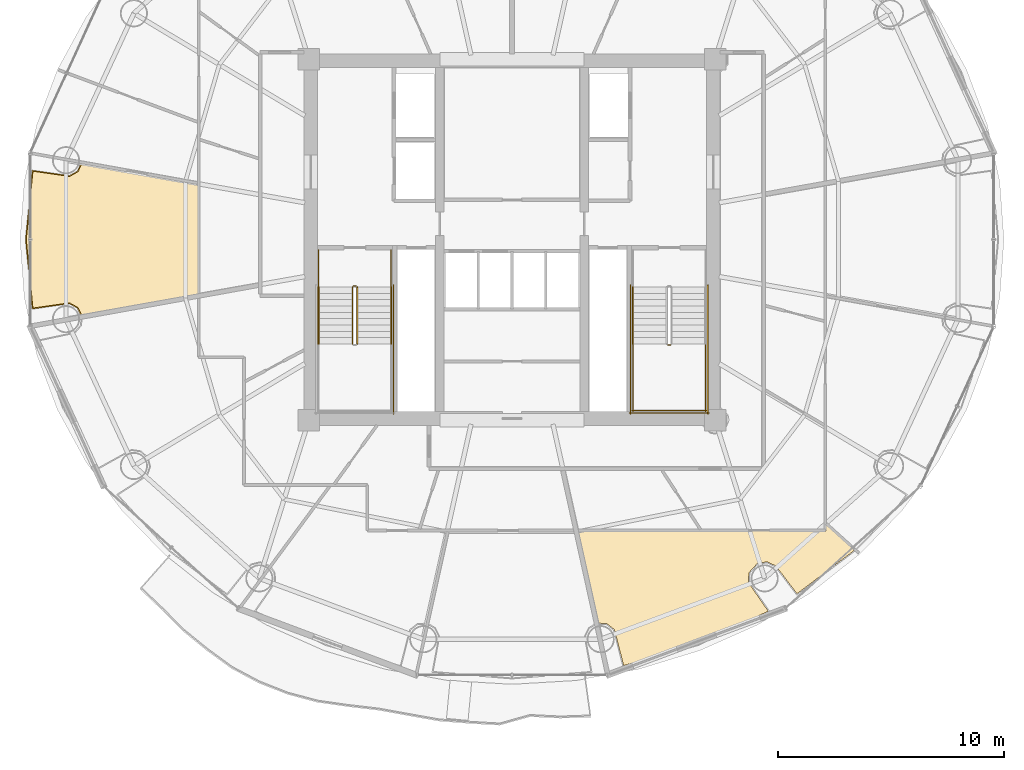
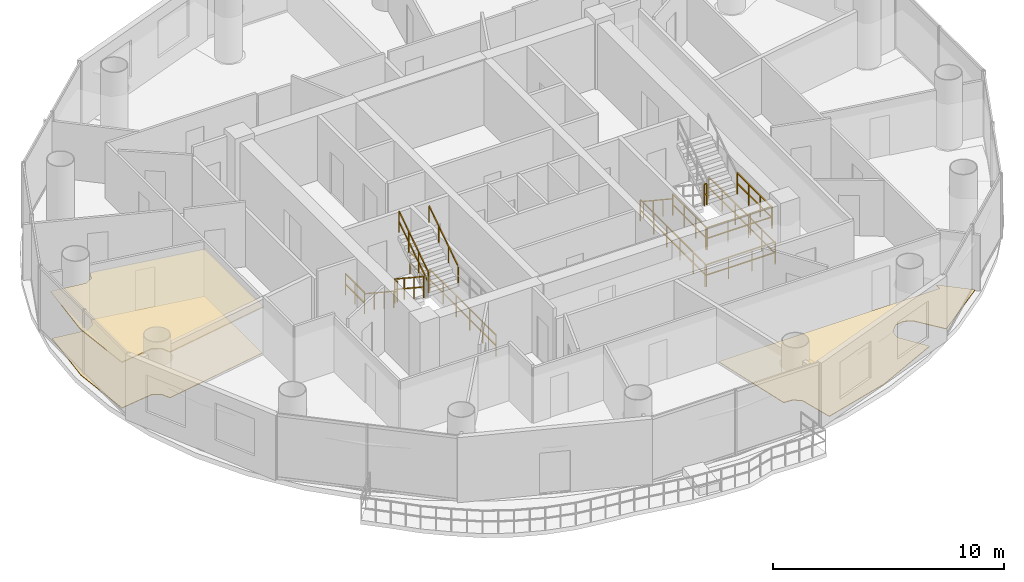
# One storey, part 25 of 27: 16 railings, 3 coverings.
"""IFC4 building model written with IfcOpenShell, lengths in metres."""

from ifc_helpers import new_model, si_unit, direction, frame, origin, origin_2d, place, context, subcontext, project, spatial, polyline, rectangle, outline, extrude, material, layer, layer_set, type_object, element, save


model = new_model("IFC4")

# Units and contexts
model_context = context("Model", 3, precision=1e-05, world=origin(), true_north=direction((-0.2419218956, 0.970295726276)))
body_context = subcontext(model_context, "Body", "Model", "MODEL_VIEW")
ifc_project = project(units=[si_unit("LENGTHUNIT", "METRE"), si_unit("AREAUNIT", "SQUARE_METRE"), si_unit("VOLUMEUNIT", "CUBIC_METRE"), si_unit("PLANEANGLEUNIT", "RADIAN"), si_unit("MASSUNIT", "GRAM", prefix="KILO")], contexts=[model_context])

# Site, building, storey
site_placement = place(None, origin())
site = spatial("IfcSite", under=ifc_project, at=site_placement, CompositionType="ELEMENT")
building_placement = place(site_placement, origin())
building = spatial("IfcBuilding", under=site, at=building_placement, Name="Cobrevalo Terracotta Tower", CompositionType="ELEMENT")
storey_placement = place(building_placement, frame((0.0, 0.0, 191.199951171875)))
storey = spatial("IfcBuildingStorey", under=building, at=storey_placement, Name="L50", CompositionType="ELEMENT", Elevation=191.199951171875)

# Coverings
ifc_material_1 = material(Name="Engineered Brazilian hardwood flooring", Category="wood")
ifc_layer_1 = layer(ifc_material_1, 0.028076171875)
ifc_layer_set_1 = layer_set([ifc_layer_1], Name="Engineered Brazilian hardwood flooring")
covering_type_1 = type_object("IfcCoveringType", Name="Engineered Hardwood Suite Flooring 28", PredefinedType="FLOORING", material=ifc_layer_set_1)
covering_1_placement = place(storey_placement, origin())
element("IfcCovering", 1, at=covering_1_placement, inside=storey, type_object=covering_type_1, Name="Flat L50B Penthouse Family Lounge floor finish", PredefinedType="FLOORING", context=body_context, shape_type="SweptSolid", body=[
    extrude(outline(polyline([(16.7734375, 29.83056640625), (18.39599609375, 29.5986328125), (18.770751953125, 29.80859375), (18.96337890625, 30.20166015625), (24.094970703125, 29.279052734375), (24.094970703125, 24.32080078125), (18.96337890625, 23.3984375), (18.770751953125, 23.791259765625), (18.39599609375, 24.00146484375), (16.7734375, 23.76953125), (16.47998046875, 26.800048828125), (16.7734375, 29.83056640625)])), origin(), (0.0, 0.0, 1.0), 0.030029296875),
])
covering_2_placement = place(storey_placement, origin())
element("IfcCovering", 2, at=covering_2_placement, inside=storey, type_object=covering_type_1, Name="Flat L50D Living and Dining Room floor finish", PredefinedType="FLOORING", context=body_context, shape_type="SweptSolid", body=[
    extrude(outline(polyline([(50.6279296875, 11.108154296875), (49.690185546875, 12.341796875), (49.30126953125, 12.5244140625), (48.87646484375, 12.460205078125), (48.497314453125, 12.039306640625), (48.477294921875, 11.610107421875), (49.3544921875, 10.34033203125), (46.236083984375, 8.858642578125), (42.9482421875, 7.93017578125), (42.537109375, 9.521484375), (42.198974609375, 9.78662109375), (41.759765625, 9.812255859375), (40.861083984375, 13.89501953125), (51.905029296875, 13.89501953125), (51.905029296875, 14.20751953125), (53.189697265625, 13.046630859375), (50.6279296875, 11.108154296875)])), origin(), (0.0, 0.0, 1.0), 0.030029296875),
])
ifc_material_2 = material(Name="Acoustic perforated gypsum ceiling", Category="gypsum")
ifc_layer_2 = layer(ifc_material_2, 0.050048828125)
ifc_layer_set_2 = layer_set([ifc_layer_2], Name="Acoustic perforated gypsum ceiling")
covering_type_2 = type_object("IfcCoveringType", Name="Perforated Acoustic Gypsum Ceiling 50", PredefinedType="CEILING", material=ifc_layer_set_2)
covering_3_placement = place(storey_placement, frame((0.0, 0.0, 2.445068359375)))
element("IfcCovering", 3, at=covering_3_placement, inside=storey, type_object=covering_type_2, Name="Flat L50B Penthouse Family Lounge acoustic ceiling", PredefinedType="CEILING", context=body_context, shape_type="SweptSolid", body=[
    extrude(outline(polyline([(16.73876953125, 29.88232421875), (18.386474609375, 29.642578125), (18.73828125, 29.83984375), (18.9296875, 30.25341796875), (24.139892578125, 29.316650390625), (24.139892578125, 24.283203125), (18.9296875, 23.3466796875), (18.73828125, 23.760009765625), (18.386474609375, 23.957275390625), (16.73876953125, 23.717529296875), (16.434814453125, 26.800048828125), (16.73876953125, 29.88232421875)])), origin(), (0.0, 0.0, 1.0), 0.050048828125),
])

# Railings
ifc_material_3 = material(Name="Brushed stainless steel", Category="steel")
railing_type_1 = type_object("IfcRailingType", Name="Stainless Steel Stair Handrail 900", PredefinedType="HANDRAIL", material=ifc_material_3)
railing_1_placement = place(storey_placement, frame((29.425048828125, 24.699951171875, 0.18505859375)))
element("IfcRailing", 4, at=railing_1_placement, inside=storey, type_object=railing_type_1, Name="L50 ST-1 stair handrail 1", PredefinedType="HANDRAIL", context=body_context, shape_type="SweptSolid", body=[
    extrude(rectangle(XDim=0.048095703125, YDim=0.048095703125, at=origin_2d()), frame((0.0, 0.0, 0.8759765625), z_axis=(0.0, -0.834331337432, 0.55126329406), x_axis=(1.0, 0.0, 0.0)), (0.0, 0.0, 1.0), 3.0205078125),
    extrude(rectangle(XDim=0.0419921875, YDim=0.0419921875, at=origin_2d()), origin(), (0.0, 0.0, 1.0), 0.851806640625),
    extrude(rectangle(XDim=0.0419921875, YDim=0.0419921875, at=origin_2d()), frame((0.0, -0.840087890625, 0.554931640625)), (0.0, 0.0, 1.0), 0.851806640625),
    extrude(rectangle(XDim=0.0419921875, YDim=0.0419921875, at=origin_2d()), frame((0.0, -1.679931640625, 1.110107421875)), (0.0, 0.0, 1.0), 0.851806640625),
    extrude(rectangle(XDim=0.0419921875, YDim=0.0419921875, at=origin_2d()), frame((0.0, -2.52001953125, 1.6650390625)), (0.0, 0.0, 1.0), 0.851806640625),
])
railing_2_placement = place(storey_placement, frame((32.64501953125, 22.179931640625, 2.03515625)))
element("IfcRailing", 5, at=railing_2_placement, inside=storey, type_object=railing_type_1, Name="L50 ST-1 stair handrail 2", PredefinedType="HANDRAIL", context=body_context, shape_type="SweptSolid", body=[
    extrude(rectangle(XDim=0.048095703125, YDim=0.048095703125, at=origin_2d()), frame((0.0, 0.0, 0.8759765625), z_axis=(0.0, 0.83436851402, 0.551207023552), x_axis=(-1.0, 0.0, 0.0)), (0.0, 0.0, 1.0), 3.020263671875),
    extrude(rectangle(XDim=0.0419921875, YDim=0.0419921875, at=origin_2d()), origin(), (0.0, 0.0, 1.0), 0.851806640625),
    extrude(rectangle(XDim=0.0419921875, YDim=0.0419921875, at=origin_2d()), frame((0.0, 0.840087890625, 0.554931640625)), (0.0, 0.0, 1.0), 0.851806640625),
    extrude(rectangle(XDim=0.0419921875, YDim=0.0419921875, at=origin_2d()), frame((0.0, 1.679931640625, 1.10986328125)), (0.0, 0.0, 1.0), 0.851806640625),
    extrude(rectangle(XDim=0.0419921875, YDim=0.0419921875, at=origin_2d()), frame((0.0, 2.52001953125, 1.664794921875)), (0.0, 0.0, 1.0), 0.851806640625),
])
railing_3_placement = place(storey_placement, frame((43.35498046875, 24.699951171875, 0.18505859375)))
element("IfcRailing", 6, at=railing_3_placement, inside=storey, type_object=railing_type_1, Name="L50 ST-2 stair handrail 1", PredefinedType="HANDRAIL", context=body_context, shape_type="SweptSolid", body=[
    extrude(rectangle(XDim=0.048095703125, YDim=0.048095703125, at=origin_2d()), frame((0.0, 0.0, 0.8759765625), z_axis=(0.0, -0.834331337432, 0.55126329406), x_axis=(1.0, 0.0, 0.0)), (0.0, 0.0, 1.0), 3.0205078125),
    extrude(rectangle(XDim=0.0419921875, YDim=0.0419921875, at=origin_2d()), origin(), (0.0, 0.0, 1.0), 0.851806640625),
    extrude(rectangle(XDim=0.0419921875, YDim=0.0419921875, at=origin_2d()), frame((0.0, -0.840087890625, 0.554931640625)), (0.0, 0.0, 1.0), 0.851806640625),
    extrude(rectangle(XDim=0.0419921875, YDim=0.0419921875, at=origin_2d()), frame((0.0, -1.679931640625, 1.110107421875)), (0.0, 0.0, 1.0), 0.851806640625),
    extrude(rectangle(XDim=0.0419921875, YDim=0.0419921875, at=origin_2d()), frame((0.0, -2.52001953125, 1.6650390625)), (0.0, 0.0, 1.0), 0.851806640625),
])
ifc_material_4 = material(Name="Painted galvanized steel", Category="steel")
railing_type_2 = type_object("IfcRailingType", Name="Stair Well Guard Balustrade 1150", PredefinedType="GUARDRAIL", material=ifc_material_4)
railing_4_placement = place(storey_placement, frame((30.925048828125, 24.699951171875, 0.18505859375)))
element("IfcRailing", 7, at=railing_4_placement, inside=storey, type_object=railing_type_2, Name="L50 ST-1 stair guard 1", PredefinedType="GUARDRAIL", context=body_context, shape_type="SweptSolid", body=[
    extrude(rectangle(XDim=0.048095703125, YDim=0.048095703125, at=origin_2d()), frame((0.0, 0.0, 1.1259765625), z_axis=(0.0, -0.834331337432, 0.55126329406), x_axis=(1.0, 0.0, 0.0)), (0.0, 0.0, 1.0), 3.0205078125),
    extrude(rectangle(XDim=0.048095703125, YDim=0.048095703125, at=origin_2d()), frame((0.0, 0.0, 0.574951171875), z_axis=(0.0, -0.834331337432, 0.55126329406), x_axis=(1.0, 0.0, 0.0)), (0.0, 0.0, 1.0), 3.0205078125),
    extrude(rectangle(XDim=0.0419921875, YDim=0.0419921875, at=origin_2d()), origin(), (0.0, 0.0, 1.0), 1.101806640625),
    extrude(rectangle(XDim=0.0419921875, YDim=0.0419921875, at=origin_2d()), frame((0.0, -0.840087890625, 0.554931640625)), (0.0, 0.0, 1.0), 1.101806640625),
    extrude(rectangle(XDim=0.0419921875, YDim=0.0419921875, at=origin_2d()), frame((0.0, -1.679931640625, 1.110107421875)), (0.0, 0.0, 1.0), 1.101806640625),
    extrude(rectangle(XDim=0.0419921875, YDim=0.0419921875, at=origin_2d()), frame((0.0, -2.52001953125, 1.6650390625)), (0.0, 0.0, 1.0), 1.101806640625),
])
railing_5_placement = place(storey_placement, frame((31.14501953125, 22.179931640625, 2.03515625)))
element("IfcRailing", 8, at=railing_5_placement, inside=storey, type_object=railing_type_2, Name="L50 ST-1 stair guard 6", PredefinedType="GUARDRAIL", context=body_context, shape_type="SweptSolid", body=[
    extrude(rectangle(XDim=0.048095703125, YDim=0.048095703125, at=origin_2d()), frame((0.0, 0.0, 1.1259765625), z_axis=(0.0, 0.83436851402, 0.551207023552), x_axis=(-1.0, 0.0, 0.0)), (0.0, 0.0, 1.0), 3.020263671875),
    extrude(rectangle(XDim=0.048095703125, YDim=0.048095703125, at=origin_2d()), frame((0.0, 0.0, 0.574951171875), z_axis=(0.0, 0.83436851402, 0.551207023552), x_axis=(-1.0, 0.0, 0.0)), (0.0, 0.0, 1.0), 3.020263671875),
    extrude(rectangle(XDim=0.0419921875, YDim=0.0419921875, at=origin_2d()), origin(), (0.0, 0.0, 1.0), 1.101806640625),
    extrude(rectangle(XDim=0.0419921875, YDim=0.0419921875, at=origin_2d()), frame((0.0, 0.840087890625, 0.554931640625)), (0.0, 0.0, 1.0), 1.101806640625),
    extrude(rectangle(XDim=0.0419921875, YDim=0.0419921875, at=origin_2d()), frame((0.0, 1.679931640625, 1.10986328125)), (0.0, 0.0, 1.0), 1.101806640625),
    extrude(rectangle(XDim=0.0419921875, YDim=0.0419921875, at=origin_2d()), frame((0.0, 2.52001953125, 1.664794921875)), (0.0, 0.0, 1.0), 1.101806640625),
])
railing_6_placement = place(storey_placement, frame((30.97509765625, 24.75, 0.0)))
element("IfcRailing", 9, at=railing_6_placement, inside=storey, type_object=railing_type_2, Name="L50 ST-1 stair guard 7", PredefinedType="GUARDRAIL", context=body_context, shape_type="SweptSolid", body=[
    extrude(rectangle(XDim=0.048095703125, YDim=0.048095703125, at=origin_2d()), frame((0.0, 0.0, 1.1259765625), z_axis=(1.0, 0.0, 0.0), x_axis=(0.0, 1.0, 0.0)), (0.0, 0.0, 1.0), 0.119873046875),
    extrude(rectangle(XDim=0.048095703125, YDim=0.048095703125, at=origin_2d()), frame((0.0, 0.0, 0.574951171875), z_axis=(1.0, 0.0, 0.0), x_axis=(0.0, 1.0, 0.0)), (0.0, 0.0, 1.0), 0.119873046875),
    extrude(rectangle(XDim=0.0419921875, YDim=0.0419921875, at=origin_2d()), origin(), (0.0, 0.0, 1.0), 1.101806640625),
    extrude(rectangle(XDim=0.0419921875, YDim=0.0419921875, at=origin_2d()), frame((0.119873046875, 0.0, 0.0)), (0.0, 0.0, 1.0), 1.101806640625),
])
for number, where, name in (
    (10, (29.425048828125, 26.35009765625, 0.0), "L50 ST-1 stair guard 8"),
    (11, (32.64501953125, 26.35009765625, 0.0), "L50 ST-1 stair guard 9"),
):
    element("IfcRailing", number, at=place(storey_placement, frame(where)), inside=storey, type_object=railing_type_2, Name=name, PredefinedType="GUARDRAIL", context=body_context, shape_type="SweptSolid", body=[
        extrude(rectangle(XDim=0.048095703125, YDim=0.048095703125, at=origin_2d()), frame((0.0, 0.0, 1.1259765625), z_axis=(0.0, -1.0, 0.0), x_axis=(1.0, 0.0, 0.0)), (0.0, 0.0, 1.0), 1.650146484375),
        extrude(rectangle(XDim=0.048095703125, YDim=0.048095703125, at=origin_2d()), frame((0.0, 0.0, 0.574951171875), z_axis=(0.0, -1.0, 0.0), x_axis=(1.0, 0.0, 0.0)), (0.0, 0.0, 1.0), 1.650146484375),
        extrude(rectangle(XDim=0.0419921875, YDim=0.0419921875, at=origin_2d()), origin(), (0.0, 0.0, 1.0), 1.101806640625),
        extrude(rectangle(XDim=0.0419921875, YDim=0.0419921875, at=origin_2d()), frame((0.0, -0.8251953125, 0.0)), (0.0, 0.0, 1.0), 1.101806640625),
        extrude(rectangle(XDim=0.0419921875, YDim=0.0419921875, at=origin_2d()), frame((0.0, -1.650146484375, 0.0)), (0.0, 0.0, 1.0), 1.101806640625),
    ])
railing_7_placement = place(storey_placement, frame((32.7451171875, 24.800048828125, 0.0)))
element("IfcRailing", 12, at=railing_7_placement, inside=storey, type_object=railing_type_2, Name="L50 ST-1 stair guard 11", PredefinedType="GUARDRAIL", context=body_context, shape_type="SweptSolid", body=[
    extrude(rectangle(XDim=0.048095703125, YDim=0.048095703125, at=origin_2d()), frame((0.0, 0.0, 1.1259765625), z_axis=(0.0, -1.0, 0.0), x_axis=(1.0, 0.0, 0.0)), (0.0, 0.0, 1.0), 5.72509765625),
    extrude(rectangle(XDim=0.048095703125, YDim=0.048095703125, at=origin_2d()), frame((0.0, 0.0, 0.574951171875), z_axis=(0.0, -1.0, 0.0), x_axis=(1.0, 0.0, 0.0)), (0.0, 0.0, 1.0), 5.72509765625),
    extrude(rectangle(XDim=0.0419921875, YDim=0.0419921875, at=origin_2d()), origin(), (0.0, 0.0, 1.0), 1.101806640625),
    extrude(rectangle(XDim=0.0419921875, YDim=0.0419921875, at=origin_2d()), frame((0.0, -1.14501953125, 0.0)), (0.0, 0.0, 1.0), 1.101806640625),
    extrude(rectangle(XDim=0.0419921875, YDim=0.0419921875, at=origin_2d()), frame((0.0, -2.2900390625, 0.0)), (0.0, 0.0, 1.0), 1.101806640625),
    extrude(rectangle(XDim=0.0419921875, YDim=0.0419921875, at=origin_2d()), frame((0.0, -3.43505859375, 0.0)), (0.0, 0.0, 1.0), 1.101806640625),
    extrude(rectangle(XDim=0.0419921875, YDim=0.0419921875, at=origin_2d()), frame((0.0, -4.580078125, 0.0)), (0.0, 0.0, 1.0), 1.101806640625),
    extrude(rectangle(XDim=0.0419921875, YDim=0.0419921875, at=origin_2d()), frame((0.0, -5.72509765625, 0.0)), (0.0, 0.0, 1.0), 1.101806640625),
])
railing_8_placement = place(storey_placement, frame((44.905029296875, 22.1298828125, 1.85009765625)))
element("IfcRailing", 13, at=railing_8_placement, inside=storey, type_object=railing_type_2, Name="L50 ST-2 stair guard 2", PredefinedType="GUARDRAIL", context=body_context, shape_type="SweptSolid", body=[
    extrude(rectangle(XDim=0.048095703125, YDim=0.048095703125, at=origin_2d()), frame((0.0, 0.0, 1.1259765625), z_axis=(1.0, 0.0, 0.0), x_axis=(0.0, 1.0, 0.0)), (0.0, 0.0, 1.0), 0.119873046875),
    extrude(rectangle(XDim=0.048095703125, YDim=0.048095703125, at=origin_2d()), frame((0.0, 0.0, 0.574951171875), z_axis=(1.0, 0.0, 0.0), x_axis=(0.0, 1.0, 0.0)), (0.0, 0.0, 1.0), 0.119873046875),
    extrude(rectangle(XDim=0.0419921875, YDim=0.0419921875, at=origin_2d()), origin(), (0.0, 0.0, 1.0), 1.101806640625),
    extrude(rectangle(XDim=0.0419921875, YDim=0.0419921875, at=origin_2d()), frame((0.119873046875, 0.0, 0.0)), (0.0, 0.0, 1.0), 1.101806640625),
])
for number, where, name in (
    (14, (43.35498046875, 22.179931640625, 1.85009765625), "L50 ST-2 stair guard 3"),
    (15, (46.574951171875, 22.179931640625, 1.85009765625), "L50 ST-2 stair guard 4"),
):
    element("IfcRailing", number, at=place(storey_placement, frame(where)), inside=storey, type_object=railing_type_2, Name=name, PredefinedType="GUARDRAIL", context=body_context, shape_type="SweptSolid", body=[
        extrude(rectangle(XDim=0.048095703125, YDim=0.048095703125, at=origin_2d()), frame((0.0, 0.0, 1.1259765625), z_axis=(0.0, -1.0, 0.0), x_axis=(1.0, 0.0, 0.0)), (0.0, 0.0, 1.0), 3.0048828125),
        extrude(rectangle(XDim=0.048095703125, YDim=0.048095703125, at=origin_2d()), frame((0.0, 0.0, 0.574951171875), z_axis=(0.0, -1.0, 0.0), x_axis=(1.0, 0.0, 0.0)), (0.0, 0.0, 1.0), 3.0048828125),
        extrude(rectangle(XDim=0.0419921875, YDim=0.0419921875, at=origin_2d()), origin(), (0.0, 0.0, 1.0), 1.101806640625),
        extrude(rectangle(XDim=0.0419921875, YDim=0.0419921875, at=origin_2d()), frame((0.0, -1.001708984375, 0.0)), (0.0, 0.0, 1.0), 1.101806640625),
        extrude(rectangle(XDim=0.0419921875, YDim=0.0419921875, at=origin_2d()), frame((0.0, -2.003173828125, 0.0)), (0.0, 0.0, 1.0), 1.101806640625),
        extrude(rectangle(XDim=0.0419921875, YDim=0.0419921875, at=origin_2d()), frame((0.0, -3.0048828125, 0.0)), (0.0, 0.0, 1.0), 1.101806640625),
    ])
railing_9_placement = place(storey_placement, frame((43.304931640625, 19.22509765625, 1.85009765625)))
element("IfcRailing", 16, at=railing_9_placement, inside=storey, type_object=railing_type_2, Name="L50 ST-2 stair guard 5", PredefinedType="GUARDRAIL", context=body_context, shape_type="SweptSolid", body=[
    extrude(rectangle(XDim=0.048095703125, YDim=0.048095703125, at=origin_2d()), frame((0.0, 0.0, 1.1259765625), z_axis=(1.0, 0.0, 0.0), x_axis=(0.0, 1.0, 0.0)), (0.0, 0.0, 1.0), 3.320068359375),
    extrude(rectangle(XDim=0.048095703125, YDim=0.048095703125, at=origin_2d()), frame((0.0, 0.0, 0.574951171875), z_axis=(1.0, 0.0, 0.0), x_axis=(0.0, 1.0, 0.0)), (0.0, 0.0, 1.0), 3.320068359375),
    extrude(rectangle(XDim=0.0419921875, YDim=0.0419921875, at=origin_2d()), origin(), (0.0, 0.0, 1.0), 1.101806640625),
    extrude(rectangle(XDim=0.0419921875, YDim=0.0419921875, at=origin_2d()), frame((1.106689453125, 0.0, 0.0)), (0.0, 0.0, 1.0), 1.101806640625),
    extrude(rectangle(XDim=0.0419921875, YDim=0.0419921875, at=origin_2d()), frame((2.21337890625, 0.0, 0.0)), (0.0, 0.0, 1.0), 1.101806640625),
    extrude(rectangle(XDim=0.0419921875, YDim=0.0419921875, at=origin_2d()), frame((3.320068359375, 0.0, 0.0)), (0.0, 0.0, 1.0), 1.101806640625),
])
for number, where, name in (
    (17, (43.2548828125, 24.800048828125, 0.0), "L50 ST-2 stair guard 10"),
    (18, (46.675048828125, 24.800048828125, 0.0), "L50 ST-2 stair guard 11"),
):
    element("IfcRailing", number, at=place(storey_placement, frame(where)), inside=storey, type_object=railing_type_2, Name=name, PredefinedType="GUARDRAIL", context=body_context, shape_type="SweptSolid", body=[
        extrude(rectangle(XDim=0.048095703125, YDim=0.048095703125, at=origin_2d()), frame((0.0, 0.0, 1.1259765625), z_axis=(0.0, -1.0, 0.0), x_axis=(1.0, 0.0, 0.0)), (0.0, 0.0, 1.0), 5.72509765625),
        extrude(rectangle(XDim=0.048095703125, YDim=0.048095703125, at=origin_2d()), frame((0.0, 0.0, 0.574951171875), z_axis=(0.0, -1.0, 0.0), x_axis=(1.0, 0.0, 0.0)), (0.0, 0.0, 1.0), 5.72509765625),
        extrude(rectangle(XDim=0.0419921875, YDim=0.0419921875, at=origin_2d()), origin(), (0.0, 0.0, 1.0), 1.101806640625),
        extrude(rectangle(XDim=0.0419921875, YDim=0.0419921875, at=origin_2d()), frame((0.0, -1.14501953125, 0.0)), (0.0, 0.0, 1.0), 1.101806640625),
        extrude(rectangle(XDim=0.0419921875, YDim=0.0419921875, at=origin_2d()), frame((0.0, -2.2900390625, 0.0)), (0.0, 0.0, 1.0), 1.101806640625),
        extrude(rectangle(XDim=0.0419921875, YDim=0.0419921875, at=origin_2d()), frame((0.0, -3.43505859375, 0.0)), (0.0, 0.0, 1.0), 1.101806640625),
        extrude(rectangle(XDim=0.0419921875, YDim=0.0419921875, at=origin_2d()), frame((0.0, -4.580078125, 0.0)), (0.0, 0.0, 1.0), 1.101806640625),
        extrude(rectangle(XDim=0.0419921875, YDim=0.0419921875, at=origin_2d()), frame((0.0, -5.72509765625, 0.0)), (0.0, 0.0, 1.0), 1.101806640625),
    ])
railing_10_placement = place(storey_placement, frame((43.205078125, 19.125, 0.0)))
element("IfcRailing", 19, at=railing_10_placement, inside=storey, type_object=railing_type_2, Name="L50 ST-2 stair guard 12", PredefinedType="GUARDRAIL", context=body_context, shape_type="SweptSolid", body=[
    extrude(rectangle(XDim=0.048095703125, YDim=0.048095703125, at=origin_2d()), frame((0.0, 0.0, 1.1259765625), z_axis=(1.0, 0.0, 0.0), x_axis=(0.0, 1.0, 0.0)), (0.0, 0.0, 1.0), 3.52001953125),
    extrude(rectangle(XDim=0.048095703125, YDim=0.048095703125, at=origin_2d()), frame((0.0, 0.0, 0.574951171875), z_axis=(1.0, 0.0, 0.0), x_axis=(0.0, 1.0, 0.0)), (0.0, 0.0, 1.0), 3.52001953125),
    extrude(rectangle(XDim=0.0419921875, YDim=0.0419921875, at=origin_2d()), origin(), (0.0, 0.0, 1.0), 1.101806640625),
    extrude(rectangle(XDim=0.0419921875, YDim=0.0419921875, at=origin_2d()), frame((1.17333984375, 0.0, 0.0)), (0.0, 0.0, 1.0), 1.101806640625),
    extrude(rectangle(XDim=0.0419921875, YDim=0.0419921875, at=origin_2d()), frame((2.3466796875, 0.0, 0.0)), (0.0, 0.0, 1.0), 1.101806640625),
    extrude(rectangle(XDim=0.0419921875, YDim=0.0419921875, at=origin_2d()), frame((3.52001953125, 0.0, 0.0)), (0.0, 0.0, 1.0), 1.101806640625),
])

save(model, "model.ifc")
